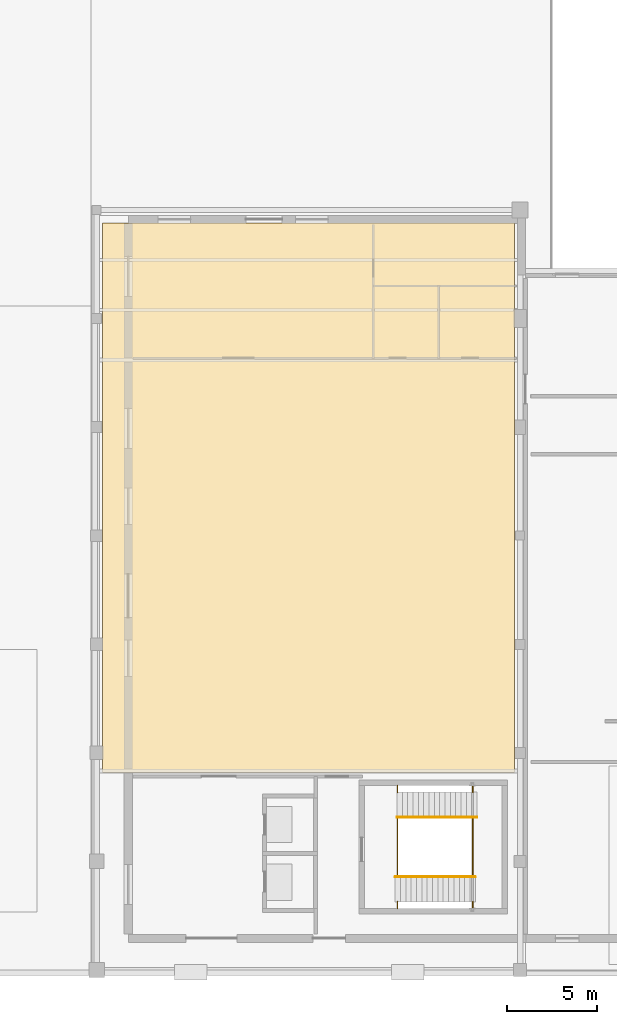
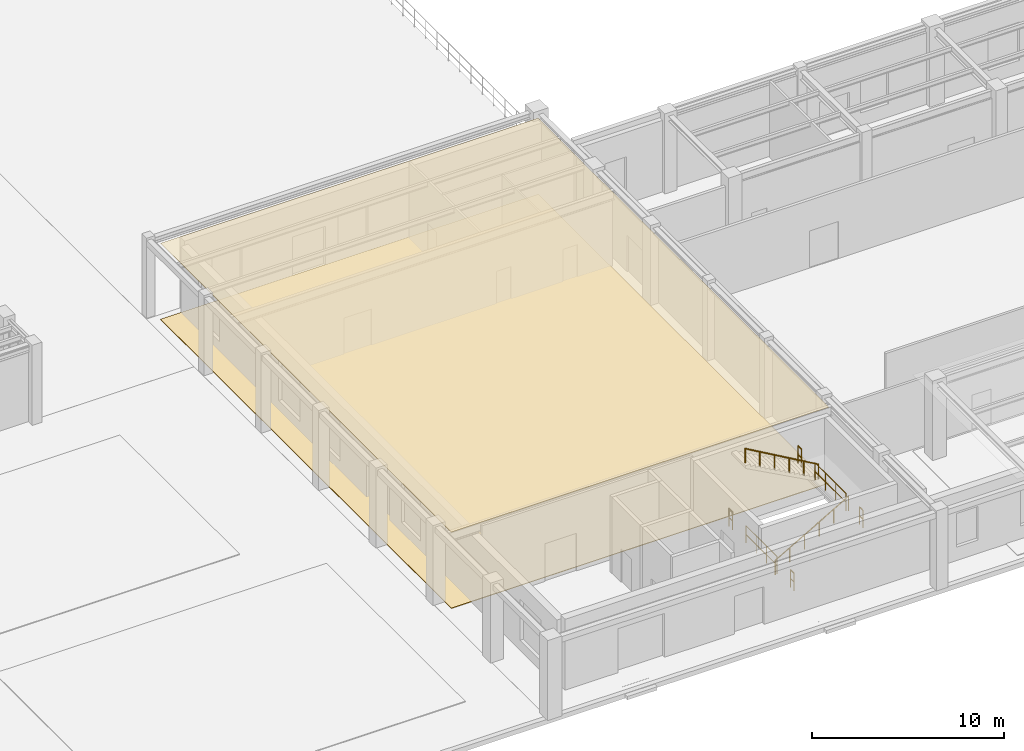
# One storey, part 60 of 68: 8 railings, 2 coverings.
"""IFC4 building model written with IfcOpenShell, lengths in metres."""

from ifc_helpers import new_model, si_unit, direction, frame, origin, origin_2d, place, context, subcontext, project, spatial, polyline, circle, outline, extrude, material, layer, layer_set, type_object, element, save


model = new_model("IFC4")

# Units and contexts
model_context = context("Model", 3, precision=1e-05, world=origin(), true_north=direction((0.0, 1.0)))
body_context = subcontext(model_context, "Body", "Model", "MODEL_VIEW")
ifc_project = project(units=[si_unit("LENGTHUNIT", "METRE"), si_unit("AREAUNIT", "SQUARE_METRE"), si_unit("VOLUMEUNIT", "CUBIC_METRE"), si_unit("PLANEANGLEUNIT", "RADIAN"), si_unit("MASSUNIT", "GRAM", prefix="KILO"), si_unit("THERMODYNAMICTEMPERATUREUNIT", "KELVIN"), si_unit("POWERUNIT", "WATT")], contexts=[model_context])

# Site, building, storey
site_placement = place(None, origin())
site = spatial("IfcSite", under=ifc_project, at=site_placement, CompositionType="ELEMENT")
building_placement = place(site_placement, origin())
building = spatial("IfcBuilding", under=site, at=building_placement, Name="Solvatero Civic Police Headquarters", CompositionType="ELEMENT")
storey_placement = place(building_placement, origin())
storey = spatial("IfcBuildingStorey", under=building, at=storey_placement, Name="L00", CompositionType="ELEMENT", Elevation=0.0)

# Coverings
ifc_material_1 = material(Name="Mineral-Fibre Acoustic Tile", Category="gypsum")
ifc_layer_1 = layer(ifc_material_1, 0.02490234375)
ifc_layer_set_1 = layer_set([ifc_layer_1], Name="Mineral-Fibre Acoustic Tile")
covering_type_1 = type_object("IfcCoveringType", Name="COV-CEIL-AC", PredefinedType="CEILING", material=ifc_layer_set_1)
covering_1_placement = place(storey_placement, frame((0.0, 0.0, 4.85498046875)))
element("IfcCovering", 1, at=covering_1_placement, inside=storey, type_object=covering_type_1, Name="Acoustic Ceiling Barrel-Vaulted Public Civic Entrance Hall", PredefinedType="CEILING", context=body_context, shape_type="SweptSolid", body=[
    extrude(outline(polyline([(99.1201171875, 15.719970703125), (99.1201171875, 46.080078125), (121.8798828125, 46.080078125), (121.8798828125, 15.719970703125), (99.1201171875, 15.719970703125)])), origin(), (0.0, 0.0, 1.0), 0.02490234375),
])
ifc_material_2 = material(Name="Venetian Terrazzo Stone", Category="masonry")
ifc_layer_2 = layer(ifc_material_2, 0.034912109375)
ifc_layer_set_2 = layer_set([ifc_layer_2], Name="Venetian Terrazzo Stone")
covering_type_2 = type_object("IfcCoveringType", Name="COV-FLR-TER", PredefinedType="FLOORING", material=ifc_layer_set_2)
covering_2_placement = place(storey_placement, origin())
element("IfcCovering", 2, at=covering_2_placement, inside=storey, type_object=covering_type_2, Name="Flooring Barrel-Vaulted Public Civic Entrance Hall", PredefinedType="FLOORING", context=body_context, shape_type="SweptSolid", body=[
    extrude(outline(polyline([(99.1201171875, 15.719970703125), (99.1201171875, 46.080078125), (121.8798828125, 46.080078125), (121.8798828125, 15.719970703125), (99.1201171875, 15.719970703125)])), origin(), (0.0, 0.0, 1.0), 0.034912109375),
])

# Railings
ifc_material_3 = material(Name="Painted Galvanized Steel", Category="steel")
railing_type_1 = type_object("IfcRailingType", Name="RL-GRD-110", PredefinedType="GUARDRAIL", material=ifc_material_3)
railing_1_placement = place(storey_placement, frame((115.429931640625, 9.97998046875, 0.0)))
element("IfcRailing", 3, at=railing_1_placement, inside=storey, type_object=railing_type_1, Name="ST-C5 L00 Floor Well Guardrail", PredefinedType="GUARDRAIL", context=body_context, shape_type="SweptSolid", body=[
    extrude(circle(Radius=0.02392578125, at=origin_2d()), frame((0.0, 0.0, 1.09619140625), z_axis=(0.0, 1.0, 0.0), x_axis=(-1.0, 0.0, 0.0)), (0.0, 0.0, 1.0), 3.239990234375),
    extrude(circle(Radius=0.02392578125, at=origin_2d()), frame((0.0, 0.0, 0.5361328125), z_axis=(0.0, 1.0, 0.0), x_axis=(-1.0, 0.0, 0.0)), (0.0, 0.0, 1.0), 3.239990234375),
    extrude(circle(Radius=0.02099609375, at=origin_2d()), origin(), (0.0, 0.0, 1.0), 1.072021484375),
    extrude(circle(Radius=0.02099609375, at=origin_2d()), frame((0.0, 1.080078125, 0.0)), (0.0, 0.0, 1.0), 1.072021484375),
    extrude(circle(Radius=0.02099609375, at=origin_2d()), frame((0.0, 2.159912109375, 0.0)), (0.0, 0.0, 1.0), 1.072021484375),
    extrude(circle(Radius=0.02099609375, at=origin_2d()), frame((0.0, 3.239990234375, 0.0)), (0.0, 0.0, 1.0), 1.072021484375),
])
for number, where, name in (
    (4, (115.429931640625, 8.2099609375, 0.0), "ST-C5 L00 Floor Well South Slot Guardrail"),
    (5, (115.429931640625, 14.6298828125, 0.0), "ST-C5 L00 Floor Well North Slot Guardrail"),
):
    element("IfcRailing", number, at=place(storey_placement, frame(where)), inside=storey, type_object=railing_type_1, Name=name, PredefinedType="GUARDRAIL", context=body_context, shape_type="SweptSolid", body=[
        extrude(circle(Radius=0.02392578125, at=origin_2d()), frame((0.0, 0.0, 1.09619140625), z_axis=(0.0, 1.0, 0.0), x_axis=(-1.0, 0.0, 0.0)), (0.0, 0.0, 1.0), 0.360107421875),
        extrude(circle(Radius=0.02392578125, at=origin_2d()), frame((0.0, 0.0, 0.5361328125), z_axis=(0.0, 1.0, 0.0), x_axis=(-1.0, 0.0, 0.0)), (0.0, 0.0, 1.0), 0.360107421875),
        extrude(circle(Radius=0.02099609375, at=origin_2d()), origin(), (0.0, 0.0, 1.0), 1.072021484375),
        extrude(circle(Radius=0.02099609375, at=origin_2d()), frame((0.0, 0.360107421875, 0.0)), (0.0, 0.0, 1.0), 1.072021484375),
    ])
railing_2_placement = place(storey_placement, frame((119.594970703125, 9.97998046875, 2.550048828125)))
element("IfcRailing", 6, at=railing_2_placement, inside=storey, type_object=railing_type_1, Name="ST-C5 L00 Half-Landing Well Guardrail", PredefinedType="GUARDRAIL", context=body_context, shape_type="SweptSolid", body=[
    extrude(circle(Radius=0.02392578125, at=origin_2d()), frame((0.0, 0.0, 1.09619140625), z_axis=(0.0, 1.0, 0.0), x_axis=(-1.0, 0.0, 0.0)), (0.0, 0.0, 1.0), 3.239990234375),
    extrude(circle(Radius=0.02392578125, at=origin_2d()), frame((0.0, 0.0, 0.5361328125), z_axis=(0.0, 1.0, 0.0), x_axis=(-1.0, 0.0, 0.0)), (0.0, 0.0, 1.0), 3.239990234375),
    extrude(circle(Radius=0.02099609375, at=origin_2d()), origin(), (0.0, 0.0, 1.0), 1.072021484375),
    extrude(circle(Radius=0.02099609375, at=origin_2d()), frame((0.0, 1.080078125, 0.0)), (0.0, 0.0, 1.0), 1.072021484375),
    extrude(circle(Radius=0.02099609375, at=origin_2d()), frame((0.0, 2.159912109375, 0.0)), (0.0, 0.0, 1.0), 1.072021484375),
    extrude(circle(Radius=0.02099609375, at=origin_2d()), frame((0.0, 3.239990234375, 0.0)), (0.0, 0.0, 1.0), 1.072021484375),
])
for number, where, name in (
    (7, (119.594970703125, 8.2099609375, 2.550048828125), "ST-C5 L00 Half-Landing South Slot Guardrail"),
    (8, (119.594970703125, 14.6298828125, 2.550048828125), "ST-C5 L00 Half-Landing North Slot Guardrail"),
):
    element("IfcRailing", number, at=place(storey_placement, frame(where)), inside=storey, type_object=railing_type_1, Name=name, PredefinedType="GUARDRAIL", context=body_context, shape_type="SweptSolid", body=[
        extrude(circle(Radius=0.02392578125, at=origin_2d()), frame((0.0, 0.0, 1.09619140625), z_axis=(0.0, 1.0, 0.0), x_axis=(-1.0, 0.0, 0.0)), (0.0, 0.0, 1.0), 0.360107421875),
        extrude(circle(Radius=0.02392578125, at=origin_2d()), frame((0.0, 0.0, 0.5361328125), z_axis=(0.0, 1.0, 0.0), x_axis=(-1.0, 0.0, 0.0)), (0.0, 0.0, 1.0), 0.360107421875),
        extrude(circle(Radius=0.02099609375, at=origin_2d()), origin(), (0.0, 0.0, 1.0), 1.072021484375),
        extrude(circle(Radius=0.02099609375, at=origin_2d()), frame((0.0, 0.360107421875, 0.0)), (0.0, 0.0, 1.0), 1.072021484375),
    ])
ifc_material_4 = material(Name="Brushed Stainless Steel", Category="steel")
railing_type_2 = type_object("IfcRailingType", Name="RL-HND-092", PredefinedType="HANDRAIL", material=ifc_material_4)
railing_3_placement = place(storey_placement, frame((115.300048828125, 9.949951171875, 0.0)))
element("IfcRailing", 9, at=railing_3_placement, inside=storey, type_object=railing_type_2, Name="ST-C5 L00 Flight 1 Handrail", PredefinedType="HANDRAIL", context=body_context, shape_type="SweptSolid", body=[
    extrude(circle(Radius=0.02392578125, at=origin_2d()), frame((0.0, 0.0, 0.89599609375), z_axis=(0.866428212428, 0.0, 0.499301665038), x_axis=(0.0, 1.0, 0.0)), (0.0, 0.0, 1.0), 5.107177734375),
    extrude(circle(Radius=0.02099609375, at=origin_2d()), origin(), (0.0, 0.0, 1.0), 0.871826171875),
    extrude(circle(Radius=0.02099609375, at=origin_2d()), frame((0.885009765625, 0.0, 0.510009765625)), (0.0, 0.0, 1.0), 0.871826171875),
    extrude(circle(Radius=0.02099609375, at=origin_2d()), frame((1.77001953125, 0.0, 1.02001953125)), (0.0, 0.0, 1.0), 0.871826171875),
    extrude(circle(Radius=0.02099609375, at=origin_2d()), frame((2.655029296875, 0.0, 1.530029296875)), (0.0, 0.0, 1.0), 0.871826171875),
    extrude(circle(Radius=0.02099609375, at=origin_2d()), frame((3.5400390625, 0.0, 2.0400390625)), (0.0, 0.0, 1.0), 0.871826171875),
    extrude(circle(Radius=0.02099609375, at=origin_2d()), frame((4.425048828125, 0.0, 2.550048828125)), (0.0, 0.0, 1.0), 0.871826171875),
])
railing_4_placement = place(storey_placement, frame((119.824951171875, 13.25, 2.550048828125)))
element("IfcRailing", 10, at=railing_4_placement, inside=storey, type_object=railing_type_2, Name="ST-C5 L00 Flight 2 Handrail", PredefinedType="HANDRAIL", context=body_context, shape_type="SweptSolid", body=[
    extrude(circle(Radius=0.02392578125, at=origin_2d()), frame((0.0, 0.0, 0.89599609375), z_axis=(-0.866428212428, 0.0, 0.499301665038), x_axis=(0.0, -1.0, 0.0)), (0.0, 0.0, 1.0), 5.107177734375),
    extrude(circle(Radius=0.02099609375, at=origin_2d()), origin(), (0.0, 0.0, 1.0), 0.871826171875),
    extrude(circle(Radius=0.02099609375, at=origin_2d()), frame((-0.885009765625, 0.0, 0.510009765625)), (0.0, 0.0, 1.0), 0.871826171875),
    extrude(circle(Radius=0.02099609375, at=origin_2d()), frame((-1.77001953125, 0.0, 1.02001953125)), (0.0, 0.0, 1.0), 0.871826171875),
    extrude(circle(Radius=0.02099609375, at=origin_2d()), frame((-2.655029296875, 0.0, 1.530029296875)), (0.0, 0.0, 1.0), 0.871826171875),
    extrude(circle(Radius=0.02099609375, at=origin_2d()), frame((-3.5400390625, 0.0, 2.0400390625)), (0.0, 0.0, 1.0), 0.871826171875),
    extrude(circle(Radius=0.02099609375, at=origin_2d()), frame((-4.425048828125, 0.0, 2.550048828125)), (0.0, 0.0, 1.0), 0.871826171875),
])

save(model, "model.ifc")
